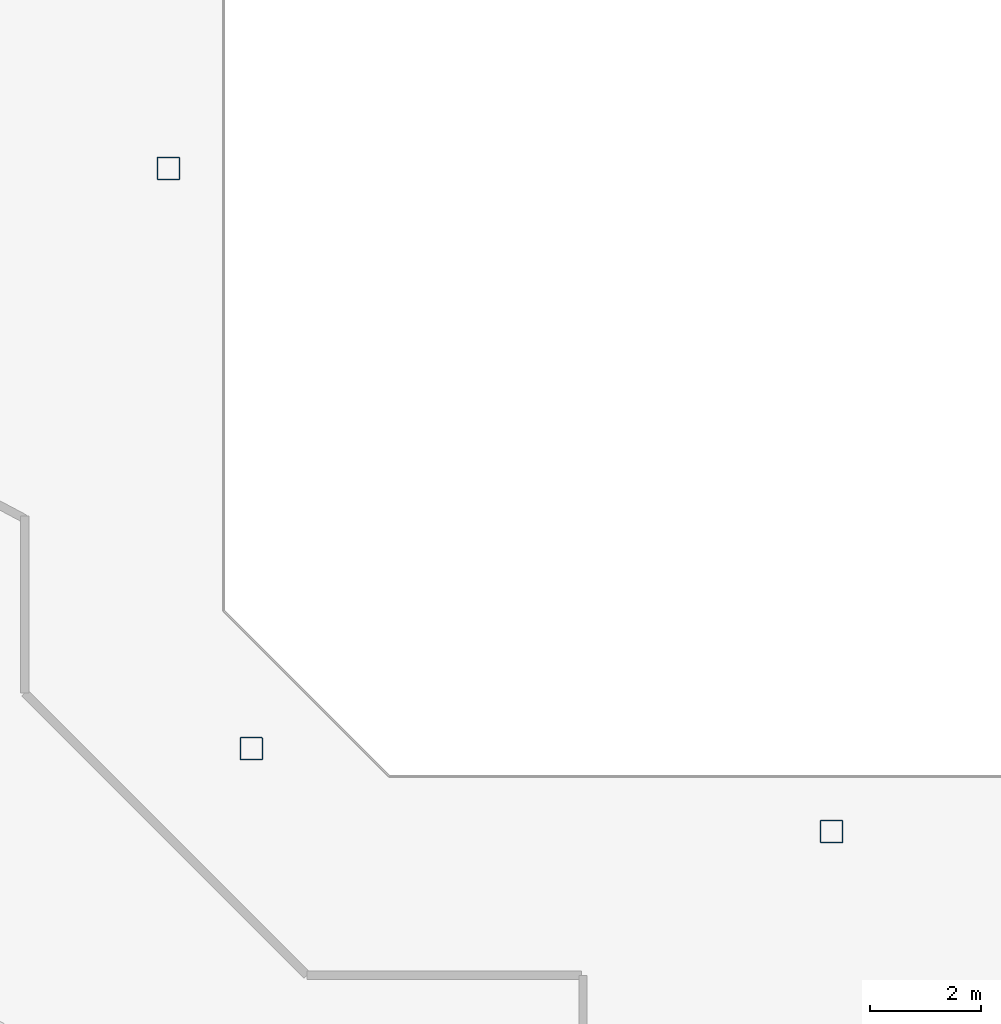
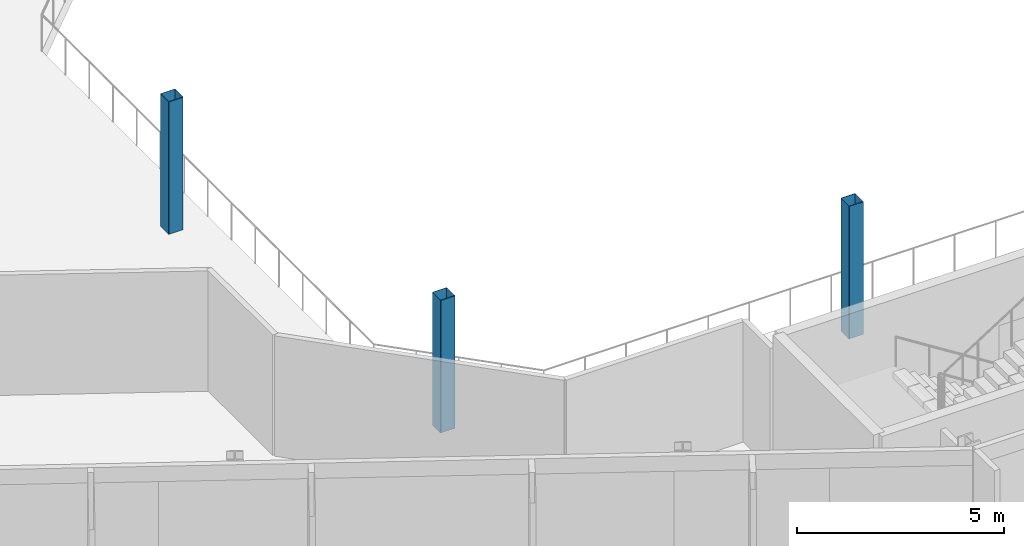
# One storey, part 2 of 30: 3 columns.
"""IFC4 building model written with IfcOpenShell, lengths in metres."""

from ifc_helpers import new_model, si_unit, direction, frame, origin, origin_2d, place, context, subcontext, project, spatial, hollow_rectangle, extrude, material, material_profile, profile_set, type_object, element, save


model = new_model("IFC4")

# Units and contexts
model_context = context("Model", 3, precision=1e-05, world=origin(), true_north=direction((0.0, 1.0)))
body_context = subcontext(model_context, "Body", "Model", "MODEL_VIEW")
ifc_project = project(units=[si_unit("LENGTHUNIT", "METRE"), si_unit("AREAUNIT", "SQUARE_METRE"), si_unit("VOLUMEUNIT", "CUBIC_METRE"), si_unit("PLANEANGLEUNIT", "RADIAN"), si_unit("MASSUNIT", "GRAM", prefix="KILO")], contexts=[model_context])

# Site, building, storey
site_placement = place(None, origin())
site = spatial("IfcSite", under=ifc_project, at=site_placement, CompositionType="ELEMENT")
building_placement = place(site_placement, origin())
building = spatial("IfcBuilding", under=site, at=building_placement, Name="Cormorant Relay Tower", CompositionType="ELEMENT")
storey_placement = place(building_placement, frame((0.0, 0.0, 258.0)))
storey = spatial("IfcBuildingStorey", under=building, at=storey_placement, Name="L57", CompositionType="ELEMENT", Elevation=258.0)

# Columns
ifc_material = material(Name="Steel ASTM A500 Grade C (Fy 345 MPa)", Category="steel")
ifc_material_profile = material_profile(ifc_material, hollow_rectangle(XDim=0.406494140625, YDim=0.406494140625, WallThickness=0.0087890625, InnerFilletRadius=0.00439453125, OuterFilletRadius=0.01318359375, at=origin_2d()), Name="HSS406x406x9")
ifc_profile_set = profile_set([ifc_material_profile], Name="Steel ASTM A500 Grade C (Fy 345 MPa)")
column_type = type_object("IfcColumnType", Name="Column HSS406x406x9", PredefinedType="COLUMN", material=ifc_profile_set)
for number, where, z_axis, x_axis, name in (
    (1, (0.0, -12.0, 0.0), (0.0, 0.0, 1.0), (1.0, 0.0, 0.0), "Column L57-007"),
    (2, (-10.5, -10.5, 0.0), (0.0, 0.0, 1.0), (1.0, 0.0, 0.0), "Column L57-009"),
    (3, (-12.0, 0.0, 0.0), (0.0, 0.0, 1.0), (1.0, 0.0, 0.0), "Column L57-015"),
):
    element("IfcColumn", number, at=place(storey_placement, frame(where, z_axis=z_axis, x_axis=x_axis)), inside=storey, type_object=column_type, Name=name, PredefinedType="COLUMN", context=body_context, shape_type="SweptSolid", body=[
        extrude(hollow_rectangle(XDim=0.406494140625, YDim=0.406494140625, WallThickness=0.0087890625, InnerFilletRadius=0.00439453125, OuterFilletRadius=0.01318359375, at=origin_2d()), origin(), (0.0, 0.0, 1.0), 3.89990234375),
    ])

save(model, "model.ifc")
